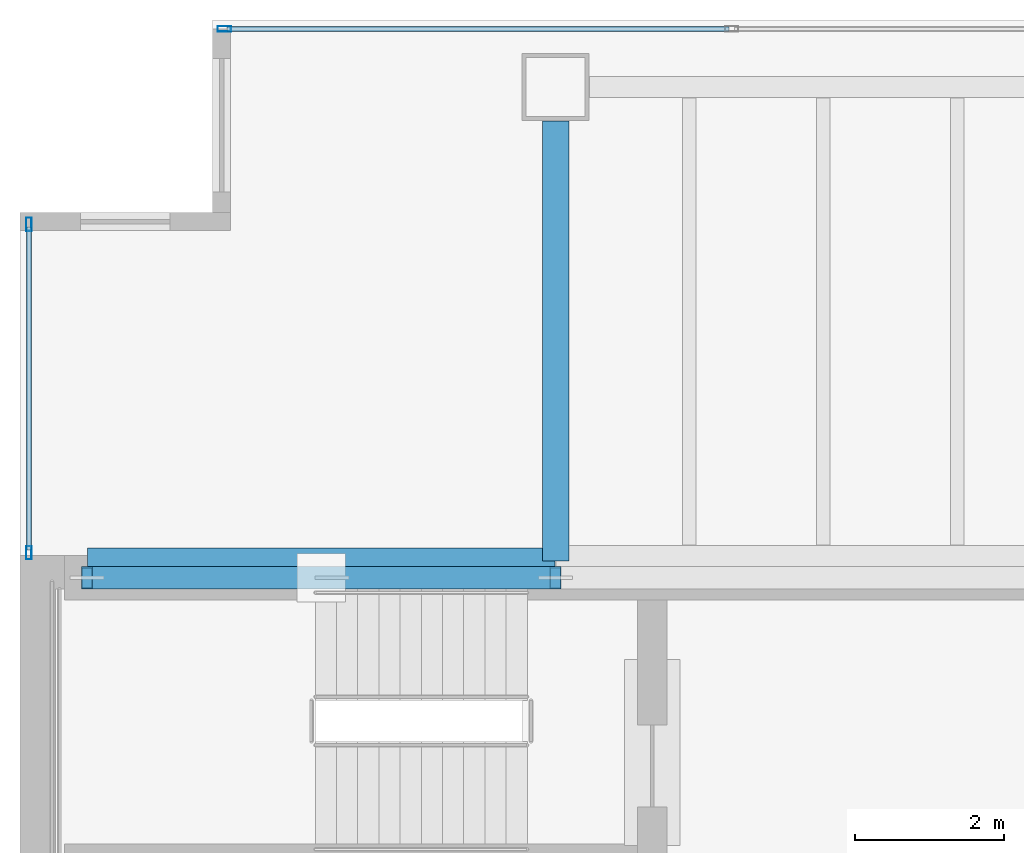
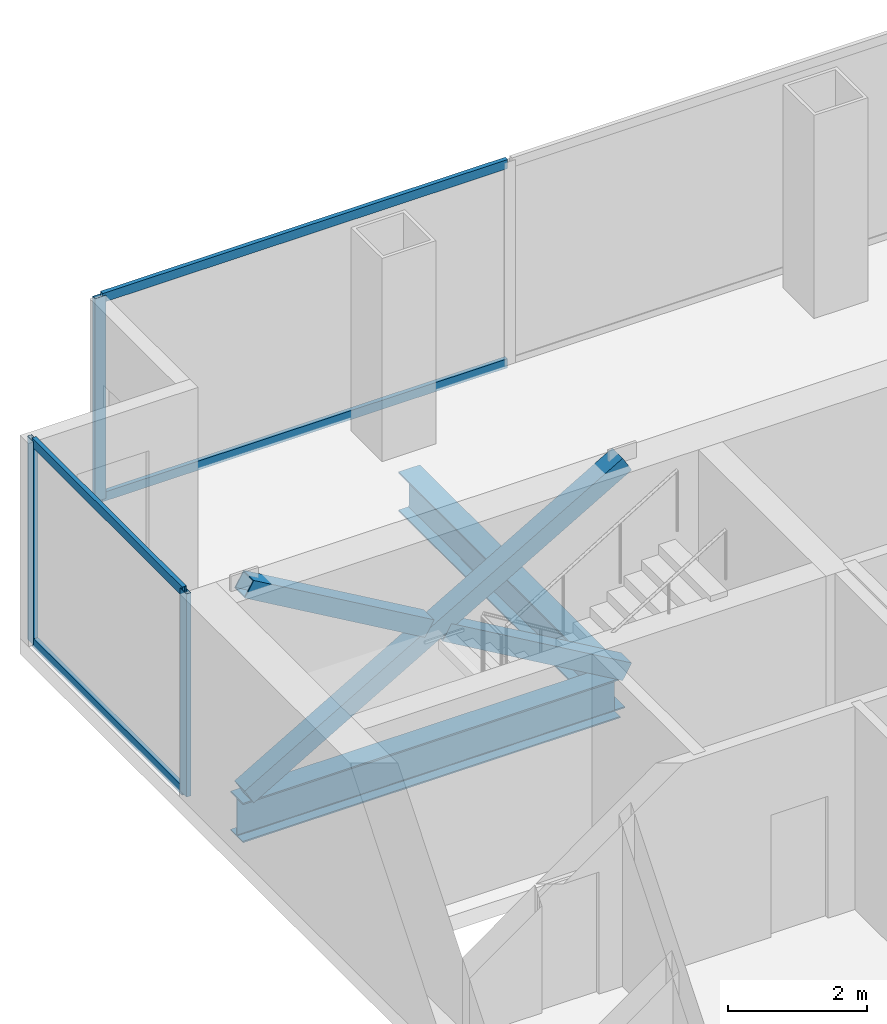
# One storey, part 16 of 23: 10 members, 2 beams, 2 elements without a shape of their own.
"""IFC4 building model written with IfcOpenShell, lengths in metres."""

from ifc_helpers import new_model, si_unit, direction, frame, origin, origin_2d, place, context, subcontext, project, spatial, hollow_rectangle, i_section, extrude, material, material_profile, profile_set, type_object, element, aggregate, save


model = new_model("IFC4")

# Units and contexts
model_context = context("Model", 3, precision=1e-05, world=origin(), true_north=direction((0.0, 1.0)))
body_context = subcontext(model_context, "Body", "Model", "MODEL_VIEW")
ifc_project = project(units=[si_unit("LENGTHUNIT", "METRE"), si_unit("AREAUNIT", "SQUARE_METRE"), si_unit("VOLUMEUNIT", "CUBIC_METRE"), si_unit("PLANEANGLEUNIT", "RADIAN"), si_unit("MASSUNIT", "GRAM", prefix="KILO")], contexts=[model_context])

# Site, building, storey
site_placement = place(None, origin())
site = spatial("IfcSite", under=ifc_project, at=site_placement, CompositionType="ELEMENT")
building_placement = place(site_placement, origin())
building = spatial("IfcBuilding", under=site, at=building_placement, Name="Cobrela Telecom Tower", CompositionType="ELEMENT")
storey_placement = place(building_placement, frame((0.0, 0.0, 144.550048828125)))
storey = spatial("IfcBuildingStorey", under=building, at=storey_placement, Name="L36", CompositionType="ELEMENT", Elevation=144.550048828125)

# Beams
ifc_material_1 = material(Name="Steel ASTM A992 Grade 50", Category="steel")
ifc_material_profile_1 = material_profile(ifc_material_1, i_section(OverallWidth=0.35595703125, OverallDepth=0.696044921875, WebThickness=0.015380859375, FlangeThickness=0.024658203125, FilletRadius=0.01806640625, at=origin_2d()), Name="W27X146")
ifc_profile_set_1 = profile_set([ifc_material_profile_1], Name="Steel ASTM A992 Grade 50")
beam_type = type_object("IfcBeamType", Name="BM-GIRD-05", PredefinedType="USERDEFINED", material=ifc_profile_set_1)
beam_1_placement = place(storey_placement, frame((0.905029296875, 35.919921875, -0.6181640625), z_axis=(1.0, 0.0, 0.0), x_axis=(0.0, 1.0, 0.0)))
element("IfcBeam", 1, at=beam_1_placement, inside=storey, type_object=beam_type, Name="L36 Primary Girder X25", ObjectType="GIRDER", PredefinedType="USERDEFINED", context=body_context, shape_type="SweptSolid", body=[
    extrude(i_section(OverallWidth=0.35595703125, OverallDepth=0.696044921875, WebThickness=0.015380859375, FlangeThickness=0.024658203125, FilletRadius=0.01806640625, at=origin_2d()), origin(), (0.0, 0.0, 1.0), 6.2900390625),
])
beam_2_placement = place(storey_placement, frame((7.199951171875, 35.925048828125, -0.6181640625), z_axis=(0.0, 1.0, 0.0), x_axis=(-1.0, 0.0, 0.0)))
element("IfcBeam", 2, at=beam_2_placement, inside=storey, type_object=beam_type, Name="L36 Primary Girder Y32", ObjectType="GIRDER", PredefinedType="USERDEFINED", context=body_context, shape_type="SweptSolid", body=[
    extrude(i_section(OverallWidth=0.35595703125, OverallDepth=0.696044921875, WebThickness=0.015380859375, FlangeThickness=0.024658203125, FilletRadius=0.01806640625, at=origin_2d()), origin(), (0.0, 0.0, 1.0), 5.919921875),
])

# Curtain wall, members
ifc_material_2 = material(Name="Anodized Bronze Aluminium 6063-T6", Category="aluminium")
curtain_wall_type = type_object("IfcCurtainWallType", Name="CW-SYS-TEL", PredefinedType="USERDEFINED", material=ifc_material_2)
curtain_wall_1_placement = place(storey_placement, origin())
curtain_wall_1 = element("IfcCurtainWall", 3, at=curtain_wall_1_placement, inside=storey, type_object=curtain_wall_type, Name="L36 Unitised Bronze Curtain Wall 04", ObjectType="UNITISED CURTAIN WALL", PredefinedType="USERDEFINED")
ifc_material_profile_2 = material_profile(ifc_material_2, hollow_rectangle(XDim=0.074951171875, YDim=0.179931640625, WallThickness=0.00390625, at=origin_2d()), Name="ALU 75x180x4")
ifc_profile_set_2 = profile_set([ifc_material_profile_2], Name="Anodized Bronze Aluminium 6063-T6")
member_type_1 = type_object("IfcMemberType", Name="CW-SYS-TEL-MUL", PredefinedType="MULLION", material=ifc_profile_set_2)
member_1_placement = place(storey_placement, frame((0.1201171875, 36.03759765625, 0.0), z_axis=(0.0, 0.0, 1.0), x_axis=(-1.0, 0.0, 0.0)))
member_1 = element("IfcMember", 4, at=member_1_placement, type_object=member_type_1, Name="CW-TEL mullion 1", PredefinedType="MULLION", context=body_context, shape_type="SweptSolid", body=[
    extrude(hollow_rectangle(XDim=0.074951171875, YDim=0.179931640625, WallThickness=0.00390625, at=origin_2d()), origin(), (0.0, 0.0, 1.0), 3.579833984375),
])
member_2_placement = place(storey_placement, frame((0.1201171875, 40.452392578125, 0.0), z_axis=(0.0, 0.0, 1.0), x_axis=(-1.0, 0.0, 0.0)))
member_2 = element("IfcMember", 5, at=member_2_placement, type_object=member_type_1, Name="CW-TEL mullion 2", PredefinedType="MULLION", context=body_context, shape_type="SweptSolid", body=[
    extrude(hollow_rectangle(XDim=0.074951171875, YDim=0.179931640625, WallThickness=0.00390625, at=origin_2d()), origin(), (0.0, 0.0, 1.0), 3.579833984375),
])

# Curtain wall, member
curtain_wall_2_placement = place(storey_placement, origin())
curtain_wall_2 = element("IfcCurtainWall", 6, at=curtain_wall_2_placement, inside=storey, type_object=curtain_wall_type, Name="L36 Unitised Bronze Curtain Wall 07", ObjectType="UNITISED CURTAIN WALL", PredefinedType="USERDEFINED")
member_3_placement = place(storey_placement, frame((2.74755859375, 43.080078125, 0.0), z_axis=(0.0, 0.0, 1.0), x_axis=(0.0, 1.0, 0.0)))
member_3 = element("IfcMember", 7, at=member_3_placement, type_object=member_type_1, Name="CW-TEL mullion 1", PredefinedType="MULLION", context=body_context, shape_type="SweptSolid", body=[
    extrude(hollow_rectangle(XDim=0.074951171875, YDim=0.179931640625, WallThickness=0.00390625, at=origin_2d()), origin(), (0.0, 0.0, 1.0), 3.579833984375),
])

# Member
ifc_material_profile_3 = material_profile(ifc_material_2, hollow_rectangle(XDim=0.070068359375, YDim=0.159912109375, WallThickness=0.00390625, at=origin_2d()), Name="ALU 70x160x4")
ifc_profile_set_3 = profile_set([ifc_material_profile_3], Name="Anodized Bronze Aluminium 6063-T6")
member_type_2 = type_object("IfcMemberType", Name="CW-SYS-TEL-TRN", PredefinedType="USERDEFINED", material=ifc_profile_set_3)
member_4_placement = place(storey_placement, frame((0.1201171875, 36.074951171875, 0.034912109375), z_axis=(0.0, 1.0, 0.0), x_axis=(-1.0, 0.0, 0.0)))
member_4 = element("IfcMember", 8, at=member_4_placement, type_object=member_type_2, Name="CW-TEL transom 1.1", ObjectType="TRANSOM", PredefinedType="USERDEFINED", context=body_context, shape_type="SweptSolid", body=[
    extrude(hollow_rectangle(XDim=0.070068359375, YDim=0.159912109375, WallThickness=0.00390625, at=origin_2d()), origin(), (0.0, 0.0, 1.0), 4.340087890625),
])

member_5_placement = place(storey_placement, frame((0.1201171875, 36.074951171875, 3.544921875), z_axis=(0.0, 1.0, 0.0), x_axis=(-1.0, 0.0, 0.0)))
member_5 = element("IfcMember", 9, at=member_5_placement, type_object=member_type_2, Name="CW-TEL transom 1.2", ObjectType="TRANSOM", PredefinedType="USERDEFINED", context=body_context, shape_type="SweptSolid", body=[
    extrude(hollow_rectangle(XDim=0.070068359375, YDim=0.159912109375, WallThickness=0.00390625, at=origin_2d()), origin(), (0.0, 0.0, 1.0), 4.340087890625),
])

aggregate(curtain_wall_1, [member_1, member_2, member_4, member_5])

member_6_placement = place(storey_placement, frame((2.784912109375, 43.080078125, 0.034912109375), z_axis=(1.0, 0.0, 0.0), x_axis=(0.0, 1.0, 0.0)))
member_6 = element("IfcMember", 10, at=member_6_placement, type_object=member_type_2, Name="CW-TEL transom 1.1", ObjectType="TRANSOM", PredefinedType="USERDEFINED", context=body_context, shape_type="SweptSolid", body=[
    extrude(hollow_rectangle(XDim=0.070068359375, YDim=0.159912109375, WallThickness=0.00390625, at=origin_2d()), origin(), (0.0, 0.0, 1.0), 6.74755859375),
])

member_7_placement = place(storey_placement, frame((2.784912109375, 43.080078125, 3.544921875), z_axis=(1.0, 0.0, 0.0), x_axis=(0.0, 1.0, 0.0)))
member_7 = element("IfcMember", 11, at=member_7_placement, type_object=member_type_2, Name="CW-TEL transom 1.2", ObjectType="TRANSOM", PredefinedType="USERDEFINED", context=body_context, shape_type="SweptSolid", body=[
    extrude(hollow_rectangle(XDim=0.070068359375, YDim=0.159912109375, WallThickness=0.00390625, at=origin_2d()), origin(), (0.0, 0.0, 1.0), 6.74755859375),
])

aggregate(curtain_wall_2, [member_3, member_6, member_7])

# Members
ifc_material_3 = material(Name="Steel ASTM A572 Grade 50", Category="steel")
ifc_material_profile_4 = material_profile(ifc_material_3, hollow_rectangle(XDim=0.300048828125, YDim=0.300048828125, WallThickness=0.01611328125, at=origin_2d()), Name="HSS 300x300x16")
ifc_profile_set_4 = profile_set([ifc_material_profile_4], Name="Steel ASTM A572 Grade 50")
member_type_3 = type_object("IfcMemberType", Name="MBR-EXO-03", PredefinedType="BRACE", material=ifc_profile_set_4)
member_8_placement = place(storey_placement, frame((0.89990234375, 35.699951171875, -0.0400390625), z_axis=(0.864680500519, 0.0, 0.502322239228), x_axis=(0.0, 1.0, 0.0)))
element("IfcMember", 12, at=member_8_placement, inside=storey, type_object=member_type_3, Name="L36 Core Flange Steel X-Brace Continuous A", PredefinedType="BRACE", context=body_context, shape_type="SweptSolid", body=[
    extrude(hollow_rectangle(XDim=0.300048828125, YDim=0.300048828125, WallThickness=0.01611328125, at=origin_2d()), origin(), (0.0, 0.0, 1.0), 7.285888671875),
])
member_9_placement = place(storey_placement, frame((7.199951171875, 35.699951171875, -0.0400390625), z_axis=(-0.864666885148, 0.0, 0.502345675535), x_axis=(0.0, -1.0, 0.0)))
element("IfcMember", 13, at=member_9_placement, inside=storey, type_object=member_type_3, Name="L36 Core Flange Steel X-Brace Split B1", PredefinedType="BRACE", context=body_context, shape_type="SweptSolid", body=[
    extrude(hollow_rectangle(XDim=0.300048828125, YDim=0.300048828125, WallThickness=0.01611328125, at=origin_2d()), origin(), (0.0, 0.0, 1.0), 3.474853515625),
])
member_10_placement = place(storey_placement, frame((3.90478515625, 35.699951171875, 1.874267578125), z_axis=(-0.864684613256, 0.0, 0.502315159634), x_axis=(0.0, -1.0, 0.0)))
element("IfcMember", 14, at=member_10_placement, inside=storey, type_object=member_type_3, Name="L36 Core Flange Steel X-Brace Split B2", PredefinedType="BRACE", context=body_context, shape_type="SweptSolid", body=[
    extrude(hollow_rectangle(XDim=0.300048828125, YDim=0.300048828125, WallThickness=0.01611328125, at=origin_2d()), origin(), (0.0, 0.0, 1.0), 3.47509765625),
])

save(model, "model.ifc")
